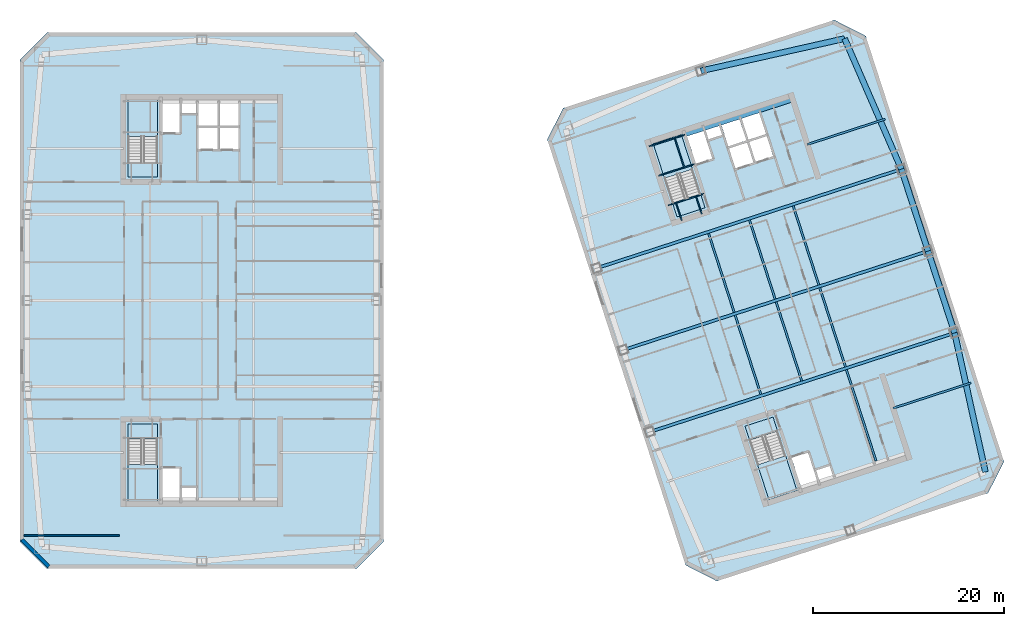
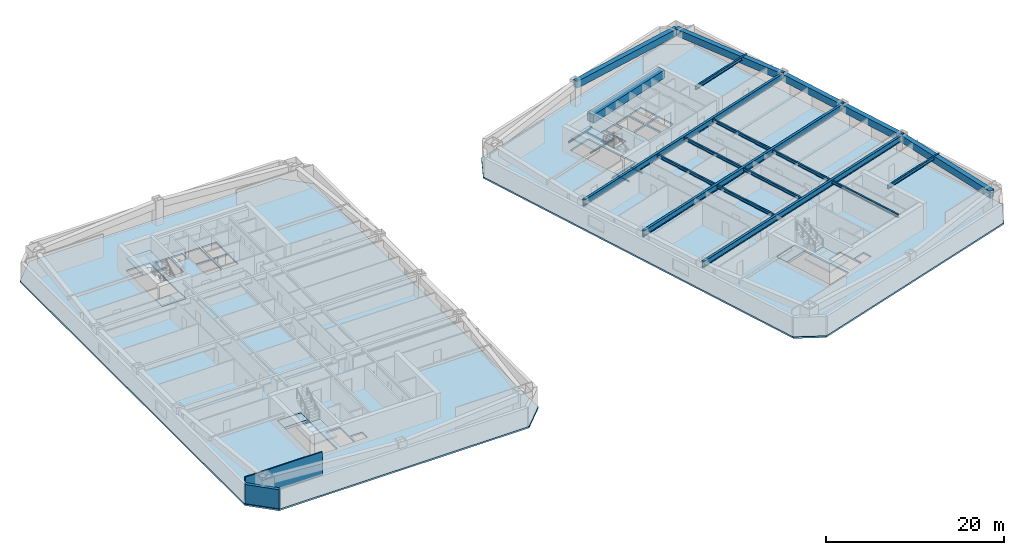
# One storey, part 2 of 11: 24 beams, 10 slabs, 2 walls, 4 elements without a shape of their own.
"""IFC4 building model written with IfcOpenShell, lengths in metres."""

from ifc_helpers import new_model, si_unit, direction, frame, frame_2d, origin, origin_2d, place, context, subcontext, project, spatial, polyline, rectangle, i_section, outline, extrude, material, layer, layer_set, material_profile, profile_set, type_object, element, aggregate, save


model = new_model("IFC4")

# Units and contexts
model_context = context("Model", 3, precision=1e-05, world=origin(), true_north=direction((0.0, 1.0)))
body_context = subcontext(model_context, "Body", "Model", "MODEL_VIEW")
ifc_project = project(units=[si_unit("LENGTHUNIT", "METRE"), si_unit("AREAUNIT", "SQUARE_METRE"), si_unit("VOLUMEUNIT", "CUBIC_METRE"), si_unit("PLANEANGLEUNIT", "RADIAN"), si_unit("MASSUNIT", "GRAM", prefix="KILO")], contexts=[model_context])

# Site, building, storey
site_placement = place(None, origin())
site = spatial("IfcSite", under=ifc_project, at=site_placement, CompositionType="ELEMENT")
building_placement = place(site_placement, origin())
building = spatial("IfcBuilding", under=site, at=building_placement, Name="Qiaolan Cultural Towers", CompositionType="ELEMENT")
storey_placement = place(building_placement, frame((0.0, 0.0, 117.300048828125)))
storey = spatial("IfcBuildingStorey", under=building, at=storey_placement, Name="L30", CompositionType="ELEMENT", Elevation=117.300048828125)

# Beams
ifc_material_1 = material(Name="Steel Q355B", Category="steel")
ifc_material_profile_1 = material_profile(ifc_material_1, i_section(OverallWidth=0.300048828125, OverallDepth=0.800048828125, WebThickness=0.013916015625, FlangeThickness=0.02587890625, at=origin_2d()), Name="HN800x300x14x26")
ifc_profile_set_1 = profile_set([ifc_material_profile_1], Name="Steel Q355B")
beam_type_1 = type_object("IfcBeamType", Name="BM-HN800x300x14x26", PredefinedType="BEAM", material=ifc_profile_set_1)
for number, where, z_axis, x_axis, name in (
    (1, (76.85107421875, 20.264404296875, 2.7900390625), (0.951056559899, 0.309016860175, 0.0), (-0.309016860175, 0.951056559899, 0.0), "L30 T2 Primary Transverse Girder V1"),
    (2, (74.06982421875, 28.823974609375, 2.7900390625), (0.951056559899, 0.309016860175, 0.0), (-0.309016860175, 0.951056559899, 0.0), "L30 T2 Primary Transverse Girder V2"),
    (3, (71.28857421875, 37.383544921875, 2.7900390625), (0.951056559899, 0.309016860175, 0.0), (-0.309016860175, 0.951056559899, 0.0), "L30 T2 Primary Transverse Girder V3"),
):
    element("IfcBeam", number, at=place(storey_placement, frame(where, z_axis=z_axis, x_axis=x_axis)), inside=storey, type_object=beam_type_1, Name=name, PredefinedType="BEAM", context=body_context, shape_type="SweptSolid", body=[
        extrude(i_section(OverallWidth=0.300048828125, OverallDepth=0.800048828125, WebThickness=0.013916015625, FlangeThickness=0.02587890625, at=origin_2d()), origin(), (0.0, 0.0, 1.0), 33.5),
    ])
ifc_material_2 = material(Name="Steel Q355B", Category="steel")
ifc_material_profile_2 = material_profile(ifc_material_2, i_section(OverallWidth=0.199951171875, OverallDepth=0.39990234375, WebThickness=0.008056640625, FlangeThickness=0.012939453125, at=origin_2d()), Name="HN400x200x8x13")
ifc_profile_set_2 = profile_set([ifc_material_profile_2], Name="Steel Q355B")
beam_type_2 = type_object("IfcBeamType", Name="BM-JST-HN400x200x8x13", PredefinedType="JOIST", material=ifc_profile_set_2)
for number, where, z_axis, x_axis, name in (
    (4, (88.455078125, 24.192626953125, 2.989990234375), (-0.309020714809, 0.951055307445, 0.0), (-0.951055307445, -0.309020714809, 0.0), "L30 T2 Secondary Floor Joist U1-2"),
    (5, (85.673828125, 32.752197265625, 2.989990234375), (-0.309020714809, 0.951055307445, 0.0), (-0.951055307445, -0.309020714809, 0.0), "L30 T2 Secondary Floor Joist U1-3"),
    (6, (92.73486328125, 25.583251953125, 2.989990234375), (-0.309020714809, 0.951055307445, 0.0), (-0.951055307445, -0.309020714809, 0.0), "L30 T2 Secondary Floor Joist U2-2"),
    (7, (89.95361328125, 34.142578125, 2.989990234375), (-0.309020714809, 0.951055307445, 0.0), (-0.951055307445, -0.309020714809, 0.0), "L30 T2 Secondary Floor Joist U2-3"),
):
    element("IfcBeam", number, at=place(storey_placement, frame(where, z_axis=z_axis, x_axis=x_axis)), inside=storey, type_object=beam_type_2, Name=name, PredefinedType="JOIST", context=body_context, shape_type="SweptSolid", body=[
        extrude(i_section(OverallWidth=0.199951171875, OverallDepth=0.39990234375, WebThickness=0.008056640625, FlangeThickness=0.012939453125, at=origin_2d()), origin(), (0.0, 0.0, 1.0), 8.699951171875),
    ])
beam_1_placement = place(storey_placement, frame((100.498291015625, 17.222900390625, 2.989990234375), z_axis=(-0.309025649293, 0.951053704098, 0.0), x_axis=(-0.951053704098, -0.309025649293, 0.0)))
element("IfcBeam", 8, at=beam_1_placement, inside=storey, type_object=beam_type_2, Name="L30 T2 Secondary Floor Joist U3-1", PredefinedType="JOIST", context=body_context, shape_type="SweptSolid", body=[
    extrude(i_section(OverallWidth=0.199951171875, OverallDepth=0.39990234375, WebThickness=0.008056640625, FlangeThickness=0.012939453125, at=origin_2d()), origin(), (0.0, 0.0, 1.0), 10.050048828125),
])
for number, where, z_axis, x_axis, name in (
    (9, (97.2998046875, 27.06640625, 2.989990234375), (-0.309020714809, 0.951055307445, 0.0), (-0.951055307445, -0.309020714809, 0.0), "L30 T2 Secondary Floor Joist U3-2"),
    (10, (94.518798828125, 35.6259765625, 2.989990234375), (-0.309020714809, 0.951055307445, 0.0), (-0.951055307445, -0.309020714809, 0.0), "L30 T2 Secondary Floor Joist U3-3"),
):
    element("IfcBeam", number, at=place(storey_placement, frame(where, z_axis=z_axis, x_axis=x_axis)), inside=storey, type_object=beam_type_2, Name=name, PredefinedType="JOIST", context=body_context, shape_type="SweptSolid", body=[
        extrude(i_section(OverallWidth=0.199951171875, OverallDepth=0.39990234375, WebThickness=0.008056640625, FlangeThickness=0.012939453125, at=origin_2d()), origin(), (0.0, 0.0, 1.0), 8.699951171875),
    ])
ifc_material_3 = material(Name="Steel Q355B", Category="steel")
ifc_material_profile_3 = material_profile(ifc_material_3, i_section(OverallWidth=0.199951171875, OverallDepth=0.449951171875, WebThickness=0.009033203125, FlangeThickness=0.013916015625, at=origin_2d()), Name="HN450x200x9x14")
ifc_profile_set_3 = profile_set([ifc_material_profile_3], Name="Steel Q355B")
beam_type_3 = type_object("IfcBeamType", Name="BM-LNT-HN450x200x9x14", PredefinedType="LINTEL", material=ifc_profile_set_3)
for number, where, z_axis, x_axis, name in (
    (11, (102.279296875, 22.74365234375, 2.96484375), (0.951057358187, 0.309014403287, 0.0), (-0.309014403287, 0.951057358187, 0.0), "L30 T2 Core Flank Tie Lintel ES"),
    (12, (93.31787109375, 50.32421875, 2.96484375), (0.951057358187, 0.309014403287, 0.0), (-0.309014403287, 0.951057358187, 0.0), "L30 T2 Core Flank Tie Lintel EN"),
):
    element("IfcBeam", number, at=place(storey_placement, frame(where, z_axis=z_axis, x_axis=x_axis)), inside=storey, type_object=beam_type_3, Name=name, PredefinedType="LINTEL", context=body_context, shape_type="SweptSolid", body=[
        extrude(i_section(OverallWidth=0.199951171875, OverallDepth=0.449951171875, WebThickness=0.009033203125, FlangeThickness=0.013916015625, at=origin_2d()), origin(), (0.0, 0.0, 1.0), 8.550048828125),
    ])
ifc_material_4 = material(Name="Concrete C50", Category="concrete")
ifc_material_profile_4 = material_profile(ifc_material_4, rectangle(XDim=0.89990234375, YDim=1.10009765625, at=origin_2d()), Name="RC900x1100")
ifc_profile_set_4 = profile_set([ifc_material_profile_4], Name="Concrete C50")
beam_type_4 = type_object("IfcBeamType", Name="BM-RC900x1100", PredefinedType="BEAM", material=ifc_profile_set_4)
beam_2_placement = place(storey_placement, frame((80.427978515625, 51.551025390625, 2.639892578125), z_axis=(0.951056266386, 0.309017763514, 0.0), x_axis=(-0.309017763514, 0.951056266386, 0.0)))
element("IfcBeam", 13, at=beam_2_placement, inside=storey, type_object=beam_type_4, Name="L30 T2 Core Header Girder N", PredefinedType="BEAM", context=body_context, shape_type="SweptSolid", body=[
    extrude(rectangle(XDim=0.89990234375, YDim=1.10009765625, at=origin_2d()), origin(), (0.0, 0.0, 1.0), 11.880126953125),
])
ifc_material_5 = material(Name="Concrete C50", Category="concrete")
ifc_material_profile_5 = material_profile(ifc_material_5, rectangle(XDim=0.60009765625, YDim=0.949951171875, at=origin_2d()), Name="RC600x950")
ifc_profile_set_5 = profile_set([ifc_material_profile_5], Name="Concrete C50")
beam_type_5 = type_object("IfcBeamType", Name="BM-SPD-RC600x950", PredefinedType="SPANDREL", material=ifc_profile_set_5)
beam_3_placement = place(storey_placement, frame((111.930908203125, 16.080078125, 2.71484375), z_axis=(-0.216237644833, 0.976340760676, 0.0), x_axis=(-0.976340760676, -0.216237644833, 0.0)))
element("IfcBeam", 14, at=beam_3_placement, inside=storey, type_object=beam_type_5, Name="L30 T2 Perimeter Spandrel Beam 3", PredefinedType="SPANDREL", context=body_context, shape_type="SweptSolid", body=[
    extrude(rectangle(XDim=0.60009765625, YDim=0.949951171875, at=origin_2d()), origin(), (0.0, 0.0, 1.0), 14.888671875),
])
for number, where, z_axis, x_axis, name in (
    (15, (108.71142578125, 30.616455078125, 2.71484375), (-0.309024734286, 0.951054001411, 0.0), (-0.951054001411, -0.309024734286, 0.0), "L30 T2 Perimeter Spandrel Beam 4"),
    (16, (105.93017578125, 39.176025390625, 2.71484375), (-0.309024734286, 0.951054001411, 0.0), (-0.951054001411, -0.309024734286, 0.0), "L30 T2 Perimeter Spandrel Beam 5"),
):
    element("IfcBeam", number, at=place(storey_placement, frame(where, z_axis=z_axis, x_axis=x_axis)), inside=storey, type_object=beam_type_5, Name=name, PredefinedType="SPANDREL", context=body_context, shape_type="SweptSolid", body=[
        extrude(rectangle(XDim=0.60009765625, YDim=0.949951171875, at=origin_2d()), origin(), (0.0, 0.0, 1.0), 9.0),
    ])
beam_4_placement = place(storey_placement, frame((103.14892578125, 47.735595703125, 2.71484375), z_axis=(-0.398920370799, 0.916985571185, 0.0), x_axis=(-0.916985571185, -0.398920370799, 0.0)))
element("IfcBeam", 17, at=beam_4_placement, inside=storey, type_object=beam_type_5, Name="L30 T2 Perimeter Spandrel Beam 6", PredefinedType="SPANDREL", context=body_context, shape_type="SweptSolid", body=[
    extrude(rectangle(XDim=0.60009765625, YDim=0.949951171875, at=origin_2d()), origin(), (0.0, 0.0, 1.0), 14.888916015625),
])
beam_5_placement = place(storey_placement, frame((97.20947265625, 61.388427734375, 2.71484375), z_axis=(-0.975658154374, -0.219296980836, 0.0), x_axis=(0.219296980836, -0.975658154374, 0.0)))
element("IfcBeam", 18, at=beam_5_placement, inside=storey, type_object=beam_type_5, Name="L30 T2 Perimeter Spandrel Beam 7", PredefinedType="SPANDREL", context=body_context, shape_type="SweptSolid", body=[
    extrude(rectangle(XDim=0.60009765625, YDim=0.949951171875, at=origin_2d()), origin(), (0.0, 0.0, 1.0), 15.38671875),
])
ifc_material_6 = material(Name="Steel Q355B", Category="steel")
ifc_material_profile_6 = material_profile(ifc_material_6, i_section(OverallWidth=0.10009765625, OverallDepth=0.199951171875, WebThickness=0.005615234375, FlangeThickness=0.008056640625, at=origin_2d()), Name="HN200x100x5.5x8")
ifc_profile_set_6 = profile_set([ifc_material_profile_6], Name="Steel Q355B")
beam_type_6 = type_object("IfcBeamType", Name="BM-STTRIM-200", PredefinedType="BEAM", material=ifc_profile_set_6)
beam_6_placement = place(storey_placement, frame((78.773193359375, 43.958251953125, -0.4599609375), z_axis=(0.951072048947, 0.3089691857, 0.0), x_axis=(-0.3089691857, 0.951072048947, 0.0)))
element("IfcBeam", 19, at=beam_6_placement, inside=storey, type_object=beam_type_6, Name="L30 ST-E2 Floor Landing Header Beam", PredefinedType="BEAM", context=body_context, shape_type="SweptSolid", body=[
    extrude(i_section(OverallWidth=0.10009765625, OverallDepth=0.199951171875, WebThickness=0.005615234375, FlangeThickness=0.008056640625, at=origin_2d()), origin(), (0.0, 0.0, 1.0), 3.920166015625),
])
for number, where, z_axis, x_axis, name in (
    (20, (80.18115234375, 42.375732421875, -0.4599609375), (-0.308969394428, 0.951071981138, 0.0), (-0.951071981138, -0.308969394428, 0.0), "L30 ST-E2 Floor Landing Stringer 1"),
    (21, (82.2734375, 43.0556640625, -0.4599609375), (-0.308969394428, 0.951071981138, 0.0), (-0.951071981138, -0.308969394428, 0.0), "L30 ST-E2 Floor Landing Stringer 2"),
):
    element("IfcBeam", number, at=place(storey_placement, frame(where, z_axis=z_axis, x_axis=x_axis)), inside=storey, type_object=beam_type_6, Name=name, PredefinedType="BEAM", context=body_context, shape_type="SweptSolid", body=[
        extrude(i_section(OverallWidth=0.10009765625, OverallDepth=0.199951171875, WebThickness=0.005615234375, FlangeThickness=0.008056640625, at=origin_2d()), origin(), (0.0, 0.0, 1.0), 1.93994140625),
    ])
for number, where, z_axis, x_axis, name in (
    (22, (77.769287109375, 47.0478515625, 1.425048828125), (0.951053746643, 0.309025518358, 0.0), (-0.309025518358, 0.951053746643, 0.0), "L30 ST-E2 Stair Landing Support Beam 1-1"),
    (23, (76.770751953125, 50.12109375, 1.425048828125), (0.951072048947, 0.3089691857, 0.0), (-0.3089691857, 0.951072048947, 0.0), "L30 ST-E2 Stair Landing Support Beam 1-2"),
):
    element("IfcBeam", number, at=place(storey_placement, frame(where, z_axis=z_axis, x_axis=x_axis)), inside=storey, type_object=beam_type_6, Name=name, PredefinedType="BEAM", context=body_context, shape_type="SweptSolid", body=[
        extrude(i_section(OverallWidth=0.10009765625, OverallDepth=0.199951171875, WebThickness=0.005615234375, FlangeThickness=0.008056640625, at=origin_2d()), origin(), (0.0, 0.0, 1.0), 3.920166015625),
    ])
beam_7_placement = place(storey_placement, frame((80.44189453125, 47.916259765625, 1.425048828125), z_axis=(-0.309033108495, 0.951051280349, 0.0), x_axis=(-0.951051280349, -0.309033108495, 0.0)))
element("IfcBeam", 24, at=beam_7_placement, inside=storey, type_object=beam_type_6, Name="L30 ST-E2 Stair Landing Trimmer 1", PredefinedType="BEAM", context=body_context, shape_type="SweptSolid", body=[
    extrude(i_section(OverallWidth=0.10009765625, OverallDepth=0.199951171875, WebThickness=0.005615234375, FlangeThickness=0.008056640625, at=origin_2d()), origin(), (0.0, 0.0, 1.0), 3.231201171875),
])

# Stair, slab
ifc_material_7 = material(Name="Concrete C45", Category="concrete")
stair_type = type_object("IfcStairType", Name="STR-CORE-1500", PredefinedType="HALF_TURN_STAIR", material=ifc_material_7)
stair_1_placement = place(storey_placement, origin())
stair_1 = element("IfcStair", 25, at=stair_1_placement, inside=storey, type_object=stair_type, Name="L30 Smokeproof Exit Stair ST-W1", PredefinedType="HALF_TURN_STAIR")
ifc_material_8 = material(Name="Concrete C45", Category="concrete")
ifc_layer_1 = layer(ifc_material_8, 0.199951171875)
ifc_layer_set_1 = layer_set([ifc_layer_1], Name="Concrete C45")
slab_type_1 = type_object("IfcSlabType", Name="SL-STAIR-LAND", PredefinedType="LANDING", material=ifc_layer_set_1)
slab_1_placement = place(storey_placement, frame((0.0, 0.0, 1.52490234375)))
slab_1 = element("IfcSlab", 26, at=slab_1_placement, type_object=slab_type_1, Name="ST-W1 landing 1", PredefinedType="LANDING", context=body_context, shape_type="SweptSolid", body=[
    extrude(outline(polyline([(22.300048828125, 16.851318359375), (22.300048828125, 13.0), (25.3798828125, 13.0), (25.3798828125, 16.851318359375), (22.300048828125, 16.851318359375)])), origin(), (0.0, 0.0, 1.0), 0.199951171875),
])
aggregate(stair_1, [slab_1])

stair_2_placement = place(storey_placement, origin())
stair_2 = element("IfcStair", 27, at=stair_2_placement, inside=storey, type_object=stair_type, Name="L30 Smokeproof Exit Stair ST-W2", PredefinedType="HALF_TURN_STAIR")
slab_2_placement = place(storey_placement, frame((0.0, 0.0, 1.52490234375)))
slab_2 = element("IfcSlab", 28, at=slab_2_placement, type_object=slab_type_1, Name="ST-W2 landing 1", PredefinedType="LANDING", context=body_context, shape_type="SweptSolid", body=[
    extrude(outline(polyline([(25.3798828125, 51.148681640625), (25.3798828125, 55.0), (22.300048828125, 55.0), (22.300048828125, 51.148681640625), (25.3798828125, 51.148681640625)])), origin(), (0.0, 0.0, 1.0), 0.199951171875),
])
aggregate(stair_2, [slab_2])

stair_3_placement = place(storey_placement, origin())
stair_3 = element("IfcStair", 29, at=stair_3_placement, inside=storey, type_object=stair_type, Name="L30 Smokeproof Exit Stair ST-E1", PredefinedType="HALF_TURN_STAIR")
slab_3_placement = place(storey_placement, frame((0.0, 0.0, 1.52490234375)))
slab_3 = element("IfcSlab", 30, at=slab_3_placement, type_object=slab_type_1, Name="ST-E1 landing 1", PredefinedType="LANDING", context=body_context, shape_type="SweptSolid", body=[
    extrude(outline(polyline([(88.114013671875, 16.828125), (89.30419921875, 13.165283203125), (92.2333984375, 14.116943359375), (91.04345703125, 17.77978515625), (88.114013671875, 16.828125)])), origin(), (0.0, 0.0, 1.0), 0.199951171875),
])
aggregate(stair_3, [slab_3])

stair_4_placement = place(storey_placement, origin())
stair_4 = element("IfcStair", 31, at=stair_4_placement, inside=storey, type_object=stair_type, Name="L30 Smokeproof Exit Stair ST-E2", PredefinedType="HALF_TURN_STAIR")
slab_4_placement = place(storey_placement, frame((0.0, 0.0, 1.52490234375)))
slab_4 = element("IfcSlab", 32, at=slab_4_placement, type_object=slab_type_1, Name="ST-E2 landing 1", PredefinedType="LANDING", context=body_context, shape_type="SweptSolid", body=[
    extrude(outline(polyline([(81.31005859375, 47.735595703125), (80.1201171875, 51.3984375), (77.190673828125, 50.44677734375), (78.380859375, 46.783935546875), (81.31005859375, 47.735595703125)])), origin(), (0.0, 0.0, 1.0), 0.199951171875),
])
aggregate(stair_4, [slab_4])

# Slabs
ifc_material_9 = material(Name="Concrete C40", Category="concrete")
ifc_layer_2 = layer(ifc_material_9, 0.360107421875)
ifc_layer_set_2 = layer_set([ifc_layer_2], Name="Concrete C40")
slab_type_2 = type_object("IfcSlabType", Name="SL-STFLR-360", PredefinedType="LANDING", material=ifc_layer_set_2)
slab_5_placement = place(storey_placement, frame((0.0, 0.0, -0.360107421875)))
element("IfcSlab", 33, at=slab_5_placement, inside=storey, type_object=slab_type_2, Name="L30 ST-W1 Stair Floor Landing Slab", PredefinedType="LANDING", context=body_context, shape_type="SweptSolid", body=[
    extrude(outline(polyline([(22.302001953125, 21.097900390625), (22.302001953125, 19.548583984375), (25.3779296875, 19.548583984375), (25.3779296875, 21.097900390625), (22.302001953125, 21.097900390625)])), origin(), (0.0, 0.0, 1.0), 0.360107421875),
])
slab_6_placement = place(storey_placement, frame((0.0, 0.0, -0.360107421875)))
element("IfcSlab", 34, at=slab_6_placement, inside=storey, type_object=slab_type_2, Name="L30 ST-W2 Stair Floor Landing Slab", PredefinedType="LANDING", context=body_context, shape_type="SweptSolid", body=[
    extrude(outline(polyline([(25.3779296875, 46.902099609375), (25.3779296875, 48.451416015625), (22.302001953125, 48.451416015625), (22.302001953125, 46.902099609375), (25.3779296875, 46.902099609375)])), origin(), (0.0, 0.0, 1.0), 0.360107421875),
])
slab_7_placement = place(storey_placement, frame((0.0, 0.0, -0.360107421875)))
element("IfcSlab", 35, at=slab_7_placement, inside=storey, type_object=slab_type_2, Name="L30 ST-E1 Stair Floor Landing Slab", PredefinedType="LANDING", context=body_context, shape_type="SweptSolid", body=[
    extrude(outline(polyline([(86.8037109375, 20.867431640625), (87.282470703125, 19.39404296875), (90.2080078125, 20.3447265625), (89.729248046875, 21.818115234375), (86.8037109375, 20.867431640625)])), origin(), (0.0, 0.0, 1.0), 0.360107421875),
])
slab_8_placement = place(storey_placement, frame((0.0, 0.0, -0.360107421875)))
element("IfcSlab", 36, at=slab_8_placement, inside=storey, type_object=slab_type_2, Name="L30 ST-E2 Stair Floor Landing Slab", PredefinedType="LANDING", context=body_context, shape_type="SweptSolid", body=[
    extrude(outline(polyline([(82.62060546875, 43.6962890625), (82.141845703125, 45.169677734375), (79.21630859375, 44.21923828125), (79.695068359375, 42.74560546875), (82.62060546875, 43.6962890625)])), origin(), (0.0, 0.0, 1.0), 0.360107421875),
])
ifc_material_10 = material(Name="Concrete C45", Category="concrete")
ifc_layer_3 = layer(ifc_material_10, 0.219970703125)
ifc_layer_set_3 = layer_set([ifc_layer_3], Name="Concrete C45")
slab_type_3 = type_object("IfcSlabType", Name="SL-TYP-220", PredefinedType="FLOOR", material=ifc_layer_set_3)
slab_9_placement = place(storey_placement, frame((0.0, 0.0, -0.219970703125)))
element("IfcSlab", 37, at=slab_9_placement, inside=storey, type_object=slab_type_3, Name="L30 West Tower Floor Slab", PredefinedType="FLOOR", context=body_context, shape_type="SweptSolid", body=[
    extrude(outline(polyline([(13.800048828125, 6.0), (46.199951171875, 6.0), (49.0, 8.800048828125), (49.0, 59.199951171875), (46.199951171875, 62.0), (13.800048828125, 62.0), (11.0, 59.199951171875), (11.0, 8.800048828125), (13.800048828125, 6.0)]), holes=[polyline([(22.300048828125, 21.10009765625), (22.300048828125, 13.0), (25.3798828125, 13.0), (25.3798828125, 21.10009765625), (22.300048828125, 21.10009765625)]), polyline([(25.3798828125, 46.89990234375), (25.3798828125, 55.0), (22.300048828125, 55.0), (22.300048828125, 46.89990234375), (25.3798828125, 46.89990234375)]), polyline([(25.89990234375, 13.199951171875), (27.75, 13.199951171875), (27.75, 16.449951171875), (25.89990234375, 16.449951171875), (25.89990234375, 13.199951171875)]), polyline([(27.93994140625, 13.25), (29.449951171875, 13.25), (29.449951171875, 14.419921875), (27.93994140625, 14.419921875), (27.93994140625, 13.25)]), polyline([(25.89990234375, 51.550048828125), (27.75, 51.550048828125), (27.75, 54.800048828125), (25.89990234375, 54.800048828125), (25.89990234375, 51.550048828125)]), polyline([(27.93994140625, 53.580078125), (29.449951171875, 53.580078125), (29.449951171875, 54.75), (27.93994140625, 54.75), (27.93994140625, 53.580078125)]), polyline([(29.679931640625, 49.820068359375), (31.679931640625, 49.820068359375), (31.679931640625, 52.080078125), (29.679931640625, 52.080078125), (29.679931640625, 49.820068359375)]), polyline([(31.8798828125, 49.820068359375), (33.820068359375, 49.820068359375), (33.820068359375, 52.080078125), (31.8798828125, 52.080078125), (31.8798828125, 49.820068359375)]), polyline([(29.679931640625, 52.27001953125), (31.659912109375, 52.27001953125), (31.659912109375, 54.75), (29.679931640625, 54.75), (29.679931640625, 52.27001953125)]), polyline([(31.8798828125, 52.27001953125), (33.820068359375, 52.27001953125), (33.820068359375, 54.75), (31.8798828125, 54.75), (31.8798828125, 52.27001953125)])]), origin(), (0.0, 0.0, 1.0), 0.219970703125),
])
slab_10_placement = place(storey_placement, frame((0.0, 0.0, -0.219970703125)))
element("IfcSlab", 38, at=slab_10_placement, inside=storey, type_object=slab_type_3, Name="L30 East Tower Floor Slab", PredefinedType="FLOOR", context=body_context, shape_type="SweptSolid", body=[
    extrude(outline(polyline([(83.86376953125, 4.668212890625), (112.205078125, 13.876953125), (113.87451171875, 17.153076171875), (99.41259765625, 61.66259765625), (96.13623046875, 63.331787109375), (67.794921875, 54.123046875), (66.12548828125, 50.846923828125), (80.58740234375, 6.33740234375), (83.86376953125, 4.668212890625)]), holes=[polyline([(86.80126953125, 20.868896484375), (89.30419921875, 13.165283203125), (92.2333984375, 14.116943359375), (89.73046875, 21.820556640625), (86.80126953125, 20.868896484375)]), polyline([(82.623046875, 43.69482421875), (80.1201171875, 51.3984375), (77.190673828125, 50.44677734375), (79.69384765625, 42.7431640625), (82.623046875, 43.69482421875)]), polyline([(92.666259765625, 14.468017578125), (94.42578125, 15.03955078125), (93.42138671875, 18.130615234375), (91.661865234375, 17.558837890625), (92.666259765625, 14.468017578125)]), polyline([(94.5908203125, 15.14599609375), (96.027099609375, 15.612548828125), (95.66552734375, 16.725341796875), (94.2294921875, 16.258544921875), (94.5908203125, 15.14599609375)]), polyline([(81.6806640625, 48.278076171875), (83.440185546875, 48.849609375), (82.435791015625, 51.940673828125), (80.67626953125, 51.368896484375), (81.6806640625, 48.278076171875)]), polyline([(82.993408203125, 50.839111328125), (84.4296875, 51.3056640625), (84.068115234375, 52.41845703125), (82.632080078125, 51.95166015625), (82.993408203125, 50.839111328125)]), polyline([(85.810302734375, 47.80078125), (87.71240234375, 48.418701171875), (87.013916015625, 50.568115234375), (85.11181640625, 49.9501953125), (85.810302734375, 47.80078125)]), polyline([(87.902587890625, 48.480712890625), (89.74755859375, 49.080078125), (89.04931640625, 51.2294921875), (87.2041015625, 50.6298828125), (87.902587890625, 48.480712890625)]), polyline([(85.05322265625, 50.130859375), (86.936279296875, 50.74267578125), (86.169921875, 53.101318359375), (84.286865234375, 52.489501953125), (85.05322265625, 50.130859375)]), polyline([(87.1455078125, 50.810791015625), (88.990478515625, 51.41015625), (88.22412109375, 53.768798828125), (86.379150390625, 53.169189453125), (87.1455078125, 50.810791015625)])]), origin(), (0.0, 0.0, 1.0), 0.219970703125),
])

# Walls
ifc_material_11 = material(Name="Precast Concrete C50 Honed Stone Pier", Category="masonry")
ifc_layer_4 = layer(ifc_material_11, 0.39990234375)
ifc_layer_set_4 = layer_set([ifc_layer_4], Name="Precast Concrete C50 Honed Stone Pier")
wall_type_1 = type_object("IfcWallType", Name="WL-EXT-PIER-400", PredefinedType="SOLIDWALL", material=ifc_layer_set_4)
wall_1_placement = place(storey_placement, frame((14.0, 6.199951171875, 0.0), z_axis=(0.0, 0.0, 1.0), x_axis=(-0.707106781187, 0.707106781187, 0.0)))
element("IfcWall", 39, at=wall_1_placement, inside=storey, type_object=wall_type_1, Name="L30 West Tower Precast Pier Facade Wall F8", PredefinedType="SOLIDWALL", context=body_context, shape_type="SweptSolid", body=[
    extrude(rectangle(XDim=3.9599609375, YDim=0.39990234375, at=frame_2d((1.97998046875, 0.0))), origin(), (0.0, 0.0, 1.0), 2.60986328125),
])
ifc_material_12 = material(Name="Autoclaved Aerated Concrete Block B06", Category="concrete")
ifc_layer_5 = layer(ifc_material_12, 0.14990234375)
ifc_layer_set_5 = layer_set([ifc_layer_5], Name="Autoclaved Aerated Concrete Block B06")
wall_type_2 = type_object("IfcWallType", Name="WL-PART-150", PredefinedType="PARTITIONING", material=ifc_layer_set_5)
wall_2_placement = place(storey_placement, frame((11.39990234375, 9.449951171875, 0.0), z_axis=(0.0, 0.0, 1.0), x_axis=(1.0, 0.0, 0.0)))
element("IfcWall", 40, at=wall_2_placement, inside=storey, type_object=wall_type_2, Name="L30 T1 Flank Wall FLK-SW", PredefinedType="PARTITIONING", context=body_context, shape_type="SweptSolid", body=[
    extrude(rectangle(XDim=10.0, YDim=0.14990234375, at=frame_2d((5.0, 0.0))), origin(), (0.0, 0.0, 1.0), 3.175048828125),
])

save(model, "model.ifc")
